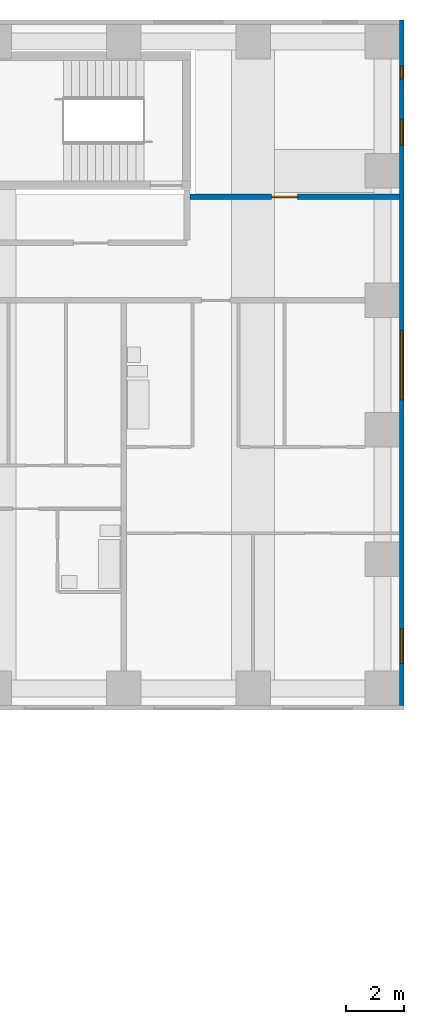
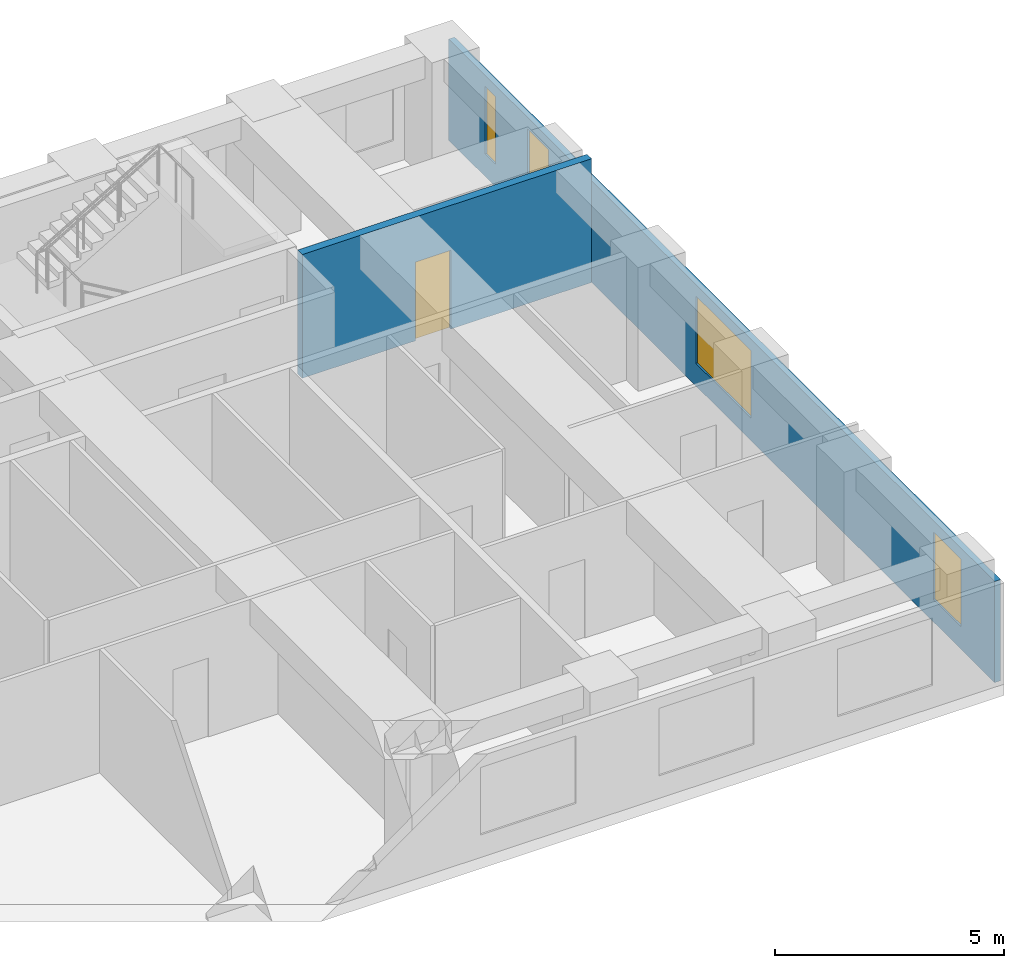
# One storey, part 9 of 12: 4 windows, 2 walls, 1 door, 5 openings.
"""IFC4 building model written with IfcOpenShell, lengths in metres."""

from ifc_helpers import new_model, si_unit, direction, frame, frame_2d, origin, place, context, subcontext, project, spatial, rectangle, extrude, material, layer, layer_set, type_object, element, fill, save


model = new_model("IFC4")

# Units and contexts
model_context = context("Model", 3, precision=1e-05, world=origin(), true_north=direction((0.0, 1.0)))
body_context = subcontext(model_context, "Body", "Model", "MODEL_VIEW")
ifc_project = project(units=[si_unit("LENGTHUNIT", "METRE"), si_unit("AREAUNIT", "SQUARE_METRE"), si_unit("VOLUMEUNIT", "CUBIC_METRE"), si_unit("PLANEANGLEUNIT", "RADIAN"), si_unit("MASSUNIT", "GRAM", prefix="KILO")], contexts=[model_context])

# Site, building, storey
site_placement = place(None, origin())
site = spatial("IfcSite", under=ifc_project, at=site_placement, CompositionType="ELEMENT")
building_placement = place(site_placement, origin())
building = spatial("IfcBuilding", under=site, at=building_placement, Name="Firuza Court", CompositionType="ELEMENT")
storey_placement = place(building_placement, frame((0.0, 0.0, 97.39990234375)))
storey = spatial("IfcBuildingStorey", under=building, at=storey_placement, Name="L24", CompositionType="ELEMENT", Elevation=97.39990234375)

# Wall, opening, door
ifc_material_1 = material(Name="Blockwork, plastered both sides", Category="masonry")
ifc_layer_1 = layer(ifc_material_1, 0.199951171875)
ifc_layer_set_1 = layer_set([ifc_layer_1], Name="Blockwork, plastered both sides")
wall_type_1 = type_object("IfcWallType", Name="Corridor wall 200", PredefinedType="PARTITIONING", material=ifc_layer_set_1)
wall_1_placement = place(storey_placement, frame((60.800048828125, 53.10009765625, 0.0), z_axis=(0.0, 0.0, 1.0), x_axis=(1.0, 0.0, 0.0)))
wall_1 = element("IfcWall", 1, at=wall_1_placement, inside=storey, type_object=wall_type_1, Name="Corridor wall 200 L24", PredefinedType="PARTITIONING", context=body_context, shape_type="SweptSolid", body=[
    extrude(rectangle(XDim=7.300048828125, YDim=0.199951171875, at=frame_2d((3.64990234375, 0.0))), origin(), (0.0, 0.0, 1.0), 3.300048828125),
])
opening_1_placement = place(wall_1_placement, frame((2.85009765625, 0.0, 0.0)))
opening_1 = element("IfcOpeningElement", 2, at=opening_1_placement, cuts=wall_1, Name="Opening D24075", PredefinedType="OPENING", context=body_context, shape_type="SweptSolid", body=[
    extrude(rectangle(XDim=0.89990234375, YDim=2.10009765625, at=frame_2d((0.449951171875, 1.050048828125))), frame((0.0, 0.11181640625, 0.0), z_axis=(0.0, -1.0, 0.0), x_axis=(1.0, 0.0, 0.0)), (0.0, 0.0, 1.0), 0.223876953125),
])
ifc_material_2 = material(Name="Timber door leaf in hardwood frame", Category="wood")
door_type = type_object("IfcDoorType", Name="Room door 900 EI 30", OperationType="SINGLE_SWING_LEFT", PredefinedType="DOOR", material=ifc_material_2)
door_placement = place(opening_1_placement, origin())
door = element("IfcDoor", 3, at=door_placement, inside=storey, type_object=door_type, Name="Meeting room door", OperationType="SINGLE_SWING_LEFT", OverallHeight=2.10009765625, OverallWidth=0.89990234375, PredefinedType="DOOR", context=body_context, shape_type="SweptSolid", body=[
    extrude(rectangle(XDim=0.89990234375, YDim=2.10009765625, at=frame_2d((0.449951171875, 1.050048828125))), frame((0.0, 0.02490234375, 0.0), z_axis=(0.0, -1.0, 0.0), x_axis=(1.0, 0.0, 0.0)), (0.0, 0.0, 1.0), 0.050048828125),
])
fill(opening_1, door)

# Wall, openings, windows
ifc_material_3 = material(Name="Ceramic tile", Category="ceramic")
ifc_layer_2 = layer(ifc_material_3, 0.02001953125)
ifc_material_4 = material(Name="Mineral wool insulation", Category="insulation")
ifc_layer_3 = layer(ifc_material_4, 0.050048828125)
ifc_material_5 = material(Name="Concrete C40/50 precast", Category="concrete")
ifc_layer_4 = layer(ifc_material_5, 0.080078125)
ifc_layer_set_2 = layer_set([ifc_layer_2, ifc_layer_3, ifc_layer_4], Name="Concrete C40/50 precast")
wall_type_2 = type_object("IfcWallType", Name="Precast cladding wall with turquoise TILE PANEL face 150", PredefinedType="STANDARD", material=ifc_layer_set_2)
wall_2_placement = place(storey_placement, frame((68.175048828125, 35.39990234375, 0.0), z_axis=(0.0, 0.0, 1.0), x_axis=(0.0, 1.0, 0.0)))
wall_2 = element("IfcWall", 4, at=wall_2_placement, inside=storey, type_object=wall_type_2, Name="Facade wall L24 E", PredefinedType="STANDARD", context=body_context, shape_type="SweptSolid", body=[
    extrude(rectangle(XDim=23.85009765625, YDim=0.14990234375, at=frame_2d((11.925048828125, 0.0))), origin(), (0.0, 0.0, 1.0), 2.7001953125),
])
opening_2_placement = place(wall_2_placement, frame((1.474365234375, 0.0, 0.60009765625)))
opening_2 = element("IfcOpeningElement", 5, at=opening_2_placement, cuts=wall_2, Name="Opening W8", PredefinedType="OPENING", context=body_context, shape_type="SweptSolid", body=[
    extrude(rectangle(XDim=1.199951171875, YDim=1.800048828125, at=frame_2d((0.60009765625, 0.89990234375))), frame((0.0, 0.0869140625, 0.0), z_axis=(0.0, -1.0, 0.0), x_axis=(1.0, 0.0, 0.0)), (0.0, 0.0, 1.0), 0.173828125),
])
opening_3_placement = place(wall_2_placement, frame((10.64990234375, 0.0, 0.60009765625)))
opening_3 = element("IfcOpeningElement", 6, at=opening_3_placement, cuts=wall_2, Name="Opening W1", PredefinedType="OPENING", context=body_context, shape_type="SweptSolid", body=[
    extrude(rectangle(XDim=2.39990234375, YDim=1.800048828125, at=frame_2d((1.199951171875, 0.89990234375))), frame((0.0, 0.0869140625, 0.0), z_axis=(0.0, -1.0, 0.0), x_axis=(1.0, 0.0, 0.0)), (0.0, 0.0, 1.0), 0.173828125),
])
opening_4_placement = place(wall_2_placement, frame((19.498046875, 0.0, 0.60009765625)))
opening_4 = element("IfcOpeningElement", 7, at=opening_4_placement, cuts=wall_2, Name="Opening W3", PredefinedType="OPENING", context=body_context, shape_type="SweptSolid", body=[
    extrude(rectangle(XDim=0.89990234375, YDim=1.800048828125, at=frame_2d((0.449951171875, 0.89990234375))), frame((0.0, 0.0869140625, 0.0), z_axis=(0.0, -1.0, 0.0), x_axis=(1.0, 0.0, 0.0)), (0.0, 0.0, 1.0), 0.173828125),
])
opening_5_placement = place(wall_2_placement, frame((21.805908203125, 0.0, 0.60009765625)))
opening_5 = element("IfcOpeningElement", 8, at=opening_5_placement, cuts=wall_2, Name="Opening W5", PredefinedType="OPENING", context=body_context, shape_type="SweptSolid", body=[
    extrude(rectangle(XDim=0.449951171875, YDim=1.800048828125, at=frame_2d((0.22509765625, 0.89990234375))), frame((0.0, 0.0869140625, 0.0), z_axis=(0.0, -1.0, 0.0), x_axis=(1.0, 0.0, 0.0)), (0.0, 0.0, 1.0), 0.173828125),
])
ifc_material_6 = material(Name="Aluminium frame, triple clear glazing", Category="aluminium")
window_type_1 = type_object("IfcWindowType", Name="Window W1 2400 x 1800", PartitioningType="SINGLE_PANEL", PredefinedType="WINDOW", material=ifc_material_6)
window_1_placement = place(opening_3_placement, origin())
window_1 = element("IfcWindow", 9, at=window_1_placement, inside=storey, type_object=window_type_1, Name="Window L24", OverallHeight=1.800048828125, OverallWidth=2.39990234375, PartitioningType="SINGLE_PANEL", PredefinedType="WINDOW", context=body_context, shape_type="SweptSolid", body=[
    extrude(rectangle(XDim=2.39990234375, YDim=1.800048828125, at=frame_2d((1.199951171875, 0.89990234375))), frame((0.0, 0.030029296875, 0.0), z_axis=(0.0, -1.0, 0.0), x_axis=(1.0, 0.0, 0.0)), (0.0, 0.0, 1.0), 0.06005859375),
])
fill(opening_3, window_1)
ifc_material_7 = material(Name="Aluminium frame, triple clear glazing", Category="aluminium")
window_type_2 = type_object("IfcWindowType", Name="Window W3 900 x 1800", PartitioningType="SINGLE_PANEL", PredefinedType="WINDOW", material=ifc_material_7)
window_2_placement = place(opening_4_placement, origin())
window_2 = element("IfcWindow", 10, at=window_2_placement, inside=storey, type_object=window_type_2, Name="Window L24", OverallHeight=1.800048828125, OverallWidth=0.89990234375, PartitioningType="SINGLE_PANEL", PredefinedType="WINDOW", context=body_context, shape_type="SweptSolid", body=[
    extrude(rectangle(XDim=0.89990234375, YDim=1.800048828125, at=frame_2d((0.449951171875, 0.89990234375))), frame((0.0, 0.030029296875, 0.0), z_axis=(0.0, -1.0, 0.0), x_axis=(1.0, 0.0, 0.0)), (0.0, 0.0, 1.0), 0.06005859375),
])
fill(opening_4, window_2)
ifc_material_8 = material(Name="Aluminium frame, triple clear glazing", Category="aluminium")
window_type_3 = type_object("IfcWindowType", Name="Window W5 450 x 1800", PartitioningType="SINGLE_PANEL", PredefinedType="WINDOW", material=ifc_material_8)
window_3_placement = place(opening_5_placement, origin())
window_3 = element("IfcWindow", 11, at=window_3_placement, inside=storey, type_object=window_type_3, Name="Window L24", OverallHeight=1.800048828125, OverallWidth=0.449951171875, PartitioningType="SINGLE_PANEL", PredefinedType="WINDOW", context=body_context, shape_type="SweptSolid", body=[
    extrude(rectangle(XDim=0.449951171875, YDim=1.800048828125, at=frame_2d((0.22509765625, 0.89990234375))), frame((0.0, 0.030029296875, 0.0), z_axis=(0.0, -1.0, 0.0), x_axis=(1.0, 0.0, 0.0)), (0.0, 0.0, 1.0), 0.06005859375),
])
fill(opening_5, window_3)
ifc_material_9 = material(Name="Aluminium frame, triple clear glazing", Category="aluminium")
window_type_4 = type_object("IfcWindowType", Name="Window W8 1200 x 1800", PartitioningType="SINGLE_PANEL", PredefinedType="WINDOW", material=ifc_material_9)
window_4_placement = place(opening_2_placement, origin())
window_4 = element("IfcWindow", 12, at=window_4_placement, inside=storey, type_object=window_type_4, Name="Window L24", OverallHeight=1.800048828125, OverallWidth=1.199951171875, PartitioningType="SINGLE_PANEL", PredefinedType="WINDOW", context=body_context, shape_type="SweptSolid", body=[
    extrude(rectangle(XDim=1.199951171875, YDim=1.800048828125, at=frame_2d((0.60009765625, 0.89990234375))), frame((0.0, 0.030029296875, 0.0), z_axis=(0.0, -1.0, 0.0), x_axis=(1.0, 0.0, 0.0)), (0.0, 0.0, 1.0), 0.06005859375),
])
fill(opening_2, window_4)

save(model, "model.ifc")
